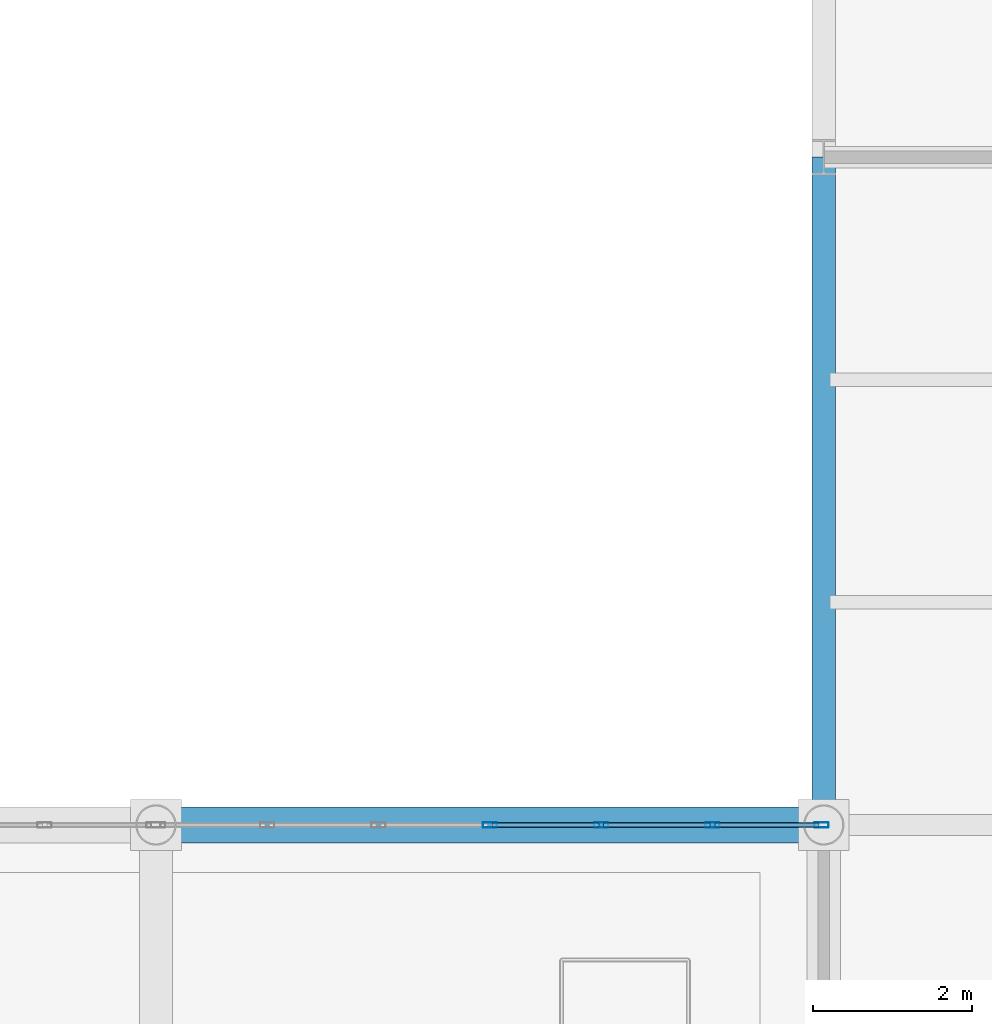
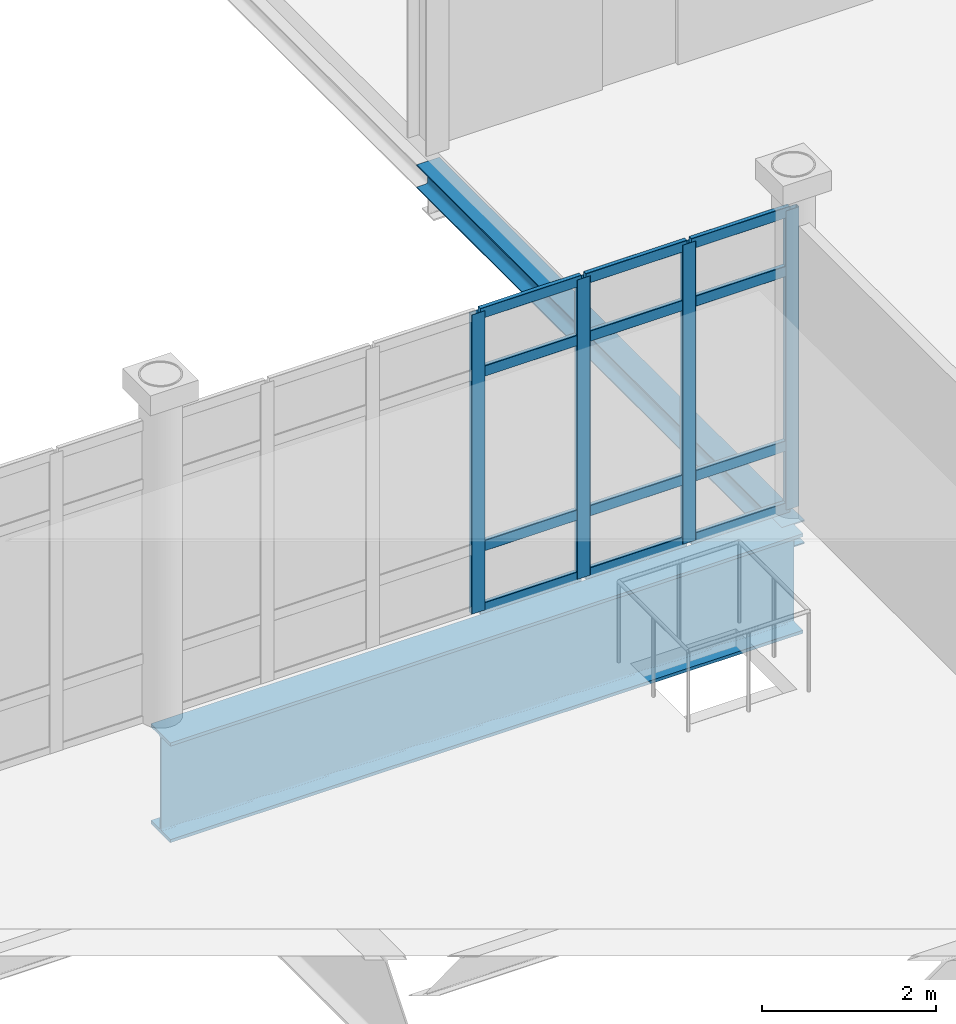
# One storey, part 57 of 145: 16 members, 2 beams, 1 element without a shape of its own.
"""IFC4 building model written with IfcOpenShell, lengths in metres."""

from ifc_helpers import new_model, si_unit, direction, frame, origin, origin_2d, place, context, subcontext, project, spatial, hollow_rectangle, i_section, extrude, material, layer, layer_set, material_profile, profile_set, type_object, element, aggregate, save


model = new_model("IFC4")

# Units and contexts
model_context = context("Model", 3, precision=1e-05, world=origin(), true_north=direction((0.0, 1.0)))
body_context = subcontext(model_context, "Body", "Model", "MODEL_VIEW")
ifc_project = project(units=[si_unit("LENGTHUNIT", "METRE"), si_unit("AREAUNIT", "SQUARE_METRE"), si_unit("VOLUMEUNIT", "CUBIC_METRE"), si_unit("PLANEANGLEUNIT", "RADIAN"), si_unit("MASSUNIT", "GRAM", prefix="KILO")], contexts=[model_context])

# Site, building, storey
site_placement = place(None, origin())
site = spatial("IfcSite", under=ifc_project, at=site_placement, CompositionType="ELEMENT")
building_placement = place(site_placement, origin())
building = spatial("IfcBuilding", under=site, at=building_placement, Name="Qalvenar Corner Mobility Hub", CompositionType="ELEMENT")
storey_placement = place(building_placement, origin())
storey = spatial("IfcBuildingStorey", under=building, at=storey_placement, Name="L00", CompositionType="ELEMENT", Elevation=0.0)

# Beams
ifc_material_1 = material(Name="Steel S355", Category="steel")
ifc_material_profile_1 = material_profile(ifc_material_1, i_section(OverallWidth=0.300048828125, OverallDepth=0.330078125, WebThickness=0.009521484375, FlangeThickness=0.0166015625, FilletRadius=0.027099609375, at=origin_2d()), Name="HEA340")
ifc_profile_set_1 = profile_set([ifc_material_profile_1], Name="Steel S355")
beam_type_1 = type_object("IfcBeamType", Name="BM-SPN340", PredefinedType="SPANDREL", material=ifc_profile_set_1)
beam_1_placement = place(storey_placement, frame((109.199951171875, 33.60009765625, -0.4150390625), z_axis=(0.0, 1.0, 0.0), x_axis=(-1.0, 0.0, 0.0)))
element("IfcBeam", 1, at=beam_1_placement, inside=storey, type_object=beam_type_1, Name="Primary Steel Girder GY-0297", PredefinedType="SPANDREL", context=body_context, shape_type="SweptSolid", body=[
    extrude(i_section(OverallWidth=0.300048828125, OverallDepth=0.330078125, WebThickness=0.009521484375, FlangeThickness=0.0166015625, FilletRadius=0.027099609375, at=origin_2d()), origin(), (0.0, 0.0, 1.0), 8.39990234375),
])
ifc_material_profile_2 = material_profile(ifc_material_1, i_section(OverallWidth=0.449951171875, OverallDepth=1.39990234375, WebThickness=0.02587890625, FlangeThickness=0.0439453125, FilletRadius=0.02392578125, at=origin_2d()), Name="W1100x499-TG1400")
ifc_profile_set_2 = profile_set([ifc_material_profile_2], Name="Steel S355")
beam_type_2 = type_object("IfcBeamType", Name="BM-TG1400", PredefinedType="T_BEAM", material=ifc_profile_set_2)
beam_2_placement = place(storey_placement, frame((100.800048828125, 33.60009765625, -0.949951171875), z_axis=(1.0, 0.0, 0.0), x_axis=(0.0, 1.0, 0.0)))
element("IfcBeam", 2, at=beam_2_placement, inside=storey, type_object=beam_type_2, Name="Transfer Girder TG-0163", PredefinedType="T_BEAM", context=body_context, shape_type="SweptSolid", body=[
    extrude(i_section(OverallWidth=0.449951171875, OverallDepth=1.39990234375, WebThickness=0.02587890625, FlangeThickness=0.0439453125, FilletRadius=0.02392578125, at=origin_2d()), origin(), (0.0, 0.0, 1.0), 8.39990234375),
])

# Curtain wall, members
ifc_material_2 = material(Name="Anodised Aluminium and Low-E Glazing", Category="aluminium")
ifc_layer = layer(ifc_material_2, 0.179931640625)
ifc_layer_set = layer_set([ifc_layer], Name="Anodised Aluminium and Low-E Glazing")
curtain_wall_type = type_object("IfcCurtainWallType", Name="CW-CONC-84X48", PredefinedType="NOTDEFINED", material=ifc_layer_set)
curtain_wall_placement = place(storey_placement, origin())
curtain_wall = element("IfcCurtainWall", 3, at=curtain_wall_placement, inside=storey, type_object=curtain_wall_type, Name="Glazed Curtain Wall CW-V1-L00-N6", PredefinedType="NOTDEFINED")
ifc_material_3 = material(Name="Anodised Aluminium 6063-T6", Category="aluminium")
ifc_material_profile_3 = material_profile(ifc_material_3, hollow_rectangle(XDim=0.06494140625, YDim=0.179931640625, WallThickness=0.00390625, InnerFilletRadius=0.00390625, OuterFilletRadius=0.008056640625, at=origin_2d()), Name="RHS180x65x4")
ifc_profile_set_3 = profile_set([ifc_material_profile_3], Name="Anodised Aluminium 6063-T6")
member_type_1 = type_object("IfcMemberType", Name="CW-MUL180", PredefinedType="MULLION", material=ifc_profile_set_3)
member_1_placement = place(storey_placement, frame((109.169921875, 33.60009765625, 0.0), z_axis=(0.0, 0.0, 1.0), x_axis=(0.0, -1.0, 0.0)))
member_1 = element("IfcMember", 4, at=member_1_placement, type_object=member_type_1, Name="CW-01 mullion 1", PredefinedType="MULLION", context=body_context, shape_type="SweptSolid", body=[
    extrude(hollow_rectangle(XDim=0.06494140625, YDim=0.179931640625, WallThickness=0.00390625, InnerFilletRadius=0.00390625, OuterFilletRadius=0.008056640625, at=origin_2d()), origin(), (0.0, 0.0, 1.0), 4.199951171875),
])
member_2_placement = place(storey_placement, frame((107.800048828125, 33.60009765625, 0.0), z_axis=(0.0, 0.0, 1.0), x_axis=(0.0, -1.0, 0.0)))
member_2 = element("IfcMember", 5, at=member_2_placement, type_object=member_type_1, Name="CW-01 mullion 2", PredefinedType="MULLION", context=body_context, shape_type="SweptSolid", body=[
    extrude(hollow_rectangle(XDim=0.06494140625, YDim=0.179931640625, WallThickness=0.00390625, InnerFilletRadius=0.00390625, OuterFilletRadius=0.008056640625, at=origin_2d()), origin(), (0.0, 0.0, 1.0), 4.199951171875),
])
member_3_placement = place(storey_placement, frame((106.39990234375, 33.60009765625, 0.0), z_axis=(0.0, 0.0, 1.0), x_axis=(0.0, -1.0, 0.0)))
member_3 = element("IfcMember", 6, at=member_3_placement, type_object=member_type_1, Name="CW-01 mullion 3", PredefinedType="MULLION", context=body_context, shape_type="SweptSolid", body=[
    extrude(hollow_rectangle(XDim=0.06494140625, YDim=0.179931640625, WallThickness=0.00390625, InnerFilletRadius=0.00390625, OuterFilletRadius=0.008056640625, at=origin_2d()), origin(), (0.0, 0.0, 1.0), 4.199951171875),
])
member_4_placement = place(storey_placement, frame((105.0, 33.60009765625, 0.0), z_axis=(0.0, 0.0, 1.0), x_axis=(0.0, -1.0, 0.0)))
member_4 = element("IfcMember", 7, at=member_4_placement, type_object=member_type_1, Name="CW-01 mullion 4", PredefinedType="MULLION", context=body_context, shape_type="SweptSolid", body=[
    extrude(hollow_rectangle(XDim=0.06494140625, YDim=0.179931640625, WallThickness=0.00390625, InnerFilletRadius=0.00390625, OuterFilletRadius=0.008056640625, at=origin_2d()), origin(), (0.0, 0.0, 1.0), 4.199951171875),
])
ifc_material_profile_4 = material_profile(ifc_material_3, hollow_rectangle(XDim=0.06005859375, YDim=0.14990234375, WallThickness=0.00341796875, InnerFilletRadius=0.00341796875, OuterFilletRadius=0.007080078125, at=origin_2d()), Name="RHS150x60x3.5")
ifc_profile_set_4 = profile_set([ifc_material_profile_4], Name="Anodised Aluminium 6063-T6")
member_type_2 = type_object("IfcMemberType", Name="CW-TRN150", PredefinedType="USERDEFINED", material=ifc_profile_set_4)
member_5_placement = place(storey_placement, frame((109.139892578125, 33.60009765625, 0.027587890625), z_axis=(-1.0, 0.0, 0.0), x_axis=(0.0, -1.0, 0.0)))
member_5 = element("IfcMember", 8, at=member_5_placement, type_object=member_type_2, Name="CW-01 transom 1.1", ObjectType="TRANSOM", PredefinedType="USERDEFINED", context=body_context, shape_type="SweptSolid", body=[
    extrude(hollow_rectangle(XDim=0.06005859375, YDim=0.14990234375, WallThickness=0.00341796875, InnerFilletRadius=0.00341796875, OuterFilletRadius=0.007080078125, at=origin_2d()), origin(), (0.0, 0.0, 1.0), 1.309814453125),
])
member_6_placement = place(storey_placement, frame((109.139892578125, 33.60009765625, 0.89990234375), z_axis=(-1.0, 0.0, 0.0), x_axis=(0.0, -1.0, 0.0)))
member_6 = element("IfcMember", 9, at=member_6_placement, type_object=member_type_2, Name="CW-01 transom 1.2", ObjectType="TRANSOM", PredefinedType="USERDEFINED", context=body_context, shape_type="SweptSolid", body=[
    extrude(hollow_rectangle(XDim=0.06005859375, YDim=0.14990234375, WallThickness=0.00341796875, InnerFilletRadius=0.00341796875, OuterFilletRadius=0.007080078125, at=origin_2d()), origin(), (0.0, 0.0, 1.0), 1.309814453125),
])
member_7_placement = place(storey_placement, frame((109.139892578125, 33.60009765625, 3.35009765625), z_axis=(-1.0, 0.0, 0.0), x_axis=(0.0, -1.0, 0.0)))
member_7 = element("IfcMember", 10, at=member_7_placement, type_object=member_type_2, Name="CW-01 transom 1.3", ObjectType="TRANSOM", PredefinedType="USERDEFINED", context=body_context, shape_type="SweptSolid", body=[
    extrude(hollow_rectangle(XDim=0.06005859375, YDim=0.14990234375, WallThickness=0.00341796875, InnerFilletRadius=0.00341796875, OuterFilletRadius=0.007080078125, at=origin_2d()), origin(), (0.0, 0.0, 1.0), 1.309814453125),
])
member_8_placement = place(storey_placement, frame((109.139892578125, 33.60009765625, 4.172607421875), z_axis=(-1.0, 0.0, 0.0), x_axis=(0.0, -1.0, 0.0)))
member_8 = element("IfcMember", 11, at=member_8_placement, type_object=member_type_2, Name="CW-01 transom 1.4", ObjectType="TRANSOM", PredefinedType="USERDEFINED", context=body_context, shape_type="SweptSolid", body=[
    extrude(hollow_rectangle(XDim=0.06005859375, YDim=0.14990234375, WallThickness=0.00341796875, InnerFilletRadius=0.00341796875, OuterFilletRadius=0.007080078125, at=origin_2d()), origin(), (0.0, 0.0, 1.0), 1.309814453125),
])
member_9_placement = place(storey_placement, frame((107.77001953125, 33.60009765625, 0.027587890625), z_axis=(-1.0, 0.0, 0.0), x_axis=(0.0, -1.0, 0.0)))
member_9 = element("IfcMember", 12, at=member_9_placement, type_object=member_type_2, Name="CW-01 transom 2.1", ObjectType="TRANSOM", PredefinedType="USERDEFINED", context=body_context, shape_type="SweptSolid", body=[
    extrude(hollow_rectangle(XDim=0.06005859375, YDim=0.14990234375, WallThickness=0.00341796875, InnerFilletRadius=0.00341796875, OuterFilletRadius=0.007080078125, at=origin_2d()), origin(), (0.0, 0.0, 1.0), 1.340087890625),
])
member_10_placement = place(storey_placement, frame((107.77001953125, 33.60009765625, 0.89990234375), z_axis=(-1.0, 0.0, 0.0), x_axis=(0.0, -1.0, 0.0)))
member_10 = element("IfcMember", 13, at=member_10_placement, type_object=member_type_2, Name="CW-01 transom 2.2", ObjectType="TRANSOM", PredefinedType="USERDEFINED", context=body_context, shape_type="SweptSolid", body=[
    extrude(hollow_rectangle(XDim=0.06005859375, YDim=0.14990234375, WallThickness=0.00341796875, InnerFilletRadius=0.00341796875, OuterFilletRadius=0.007080078125, at=origin_2d()), origin(), (0.0, 0.0, 1.0), 1.340087890625),
])
member_11_placement = place(storey_placement, frame((107.77001953125, 33.60009765625, 3.35009765625), z_axis=(-1.0, 0.0, 0.0), x_axis=(0.0, -1.0, 0.0)))
member_11 = element("IfcMember", 14, at=member_11_placement, type_object=member_type_2, Name="CW-01 transom 2.3", ObjectType="TRANSOM", PredefinedType="USERDEFINED", context=body_context, shape_type="SweptSolid", body=[
    extrude(hollow_rectangle(XDim=0.06005859375, YDim=0.14990234375, WallThickness=0.00341796875, InnerFilletRadius=0.00341796875, OuterFilletRadius=0.007080078125, at=origin_2d()), origin(), (0.0, 0.0, 1.0), 1.340087890625),
])
member_12_placement = place(storey_placement, frame((107.77001953125, 33.60009765625, 4.172607421875), z_axis=(-1.0, 0.0, 0.0), x_axis=(0.0, -1.0, 0.0)))
member_12 = element("IfcMember", 15, at=member_12_placement, type_object=member_type_2, Name="CW-01 transom 2.4", ObjectType="TRANSOM", PredefinedType="USERDEFINED", context=body_context, shape_type="SweptSolid", body=[
    extrude(hollow_rectangle(XDim=0.06005859375, YDim=0.14990234375, WallThickness=0.00341796875, InnerFilletRadius=0.00341796875, OuterFilletRadius=0.007080078125, at=origin_2d()), origin(), (0.0, 0.0, 1.0), 1.340087890625),
])
member_13_placement = place(storey_placement, frame((106.3701171875, 33.60009765625, 0.027587890625), z_axis=(-1.0, 0.0, 0.0), x_axis=(0.0, -1.0, 0.0)))
member_13 = element("IfcMember", 16, at=member_13_placement, type_object=member_type_2, Name="CW-01 transom 3.1", ObjectType="TRANSOM", PredefinedType="USERDEFINED", context=body_context, shape_type="SweptSolid", body=[
    extrude(hollow_rectangle(XDim=0.06005859375, YDim=0.14990234375, WallThickness=0.00341796875, InnerFilletRadius=0.00341796875, OuterFilletRadius=0.007080078125, at=origin_2d()), origin(), (0.0, 0.0, 1.0), 1.340087890625),
])
member_14_placement = place(storey_placement, frame((106.3701171875, 33.60009765625, 0.89990234375), z_axis=(-1.0, 0.0, 0.0), x_axis=(0.0, -1.0, 0.0)))
member_14 = element("IfcMember", 17, at=member_14_placement, type_object=member_type_2, Name="CW-01 transom 3.2", ObjectType="TRANSOM", PredefinedType="USERDEFINED", context=body_context, shape_type="SweptSolid", body=[
    extrude(hollow_rectangle(XDim=0.06005859375, YDim=0.14990234375, WallThickness=0.00341796875, InnerFilletRadius=0.00341796875, OuterFilletRadius=0.007080078125, at=origin_2d()), origin(), (0.0, 0.0, 1.0), 1.340087890625),
])
member_15_placement = place(storey_placement, frame((106.3701171875, 33.60009765625, 3.35009765625), z_axis=(-1.0, 0.0, 0.0), x_axis=(0.0, -1.0, 0.0)))
member_15 = element("IfcMember", 18, at=member_15_placement, type_object=member_type_2, Name="CW-01 transom 3.3", ObjectType="TRANSOM", PredefinedType="USERDEFINED", context=body_context, shape_type="SweptSolid", body=[
    extrude(hollow_rectangle(XDim=0.06005859375, YDim=0.14990234375, WallThickness=0.00341796875, InnerFilletRadius=0.00341796875, OuterFilletRadius=0.007080078125, at=origin_2d()), origin(), (0.0, 0.0, 1.0), 1.340087890625),
])
member_16_placement = place(storey_placement, frame((106.3701171875, 33.60009765625, 4.172607421875), z_axis=(-1.0, 0.0, 0.0), x_axis=(0.0, -1.0, 0.0)))
member_16 = element("IfcMember", 19, at=member_16_placement, type_object=member_type_2, Name="CW-01 transom 3.4", ObjectType="TRANSOM", PredefinedType="USERDEFINED", context=body_context, shape_type="SweptSolid", body=[
    extrude(hollow_rectangle(XDim=0.06005859375, YDim=0.14990234375, WallThickness=0.00341796875, InnerFilletRadius=0.00341796875, OuterFilletRadius=0.007080078125, at=origin_2d()), origin(), (0.0, 0.0, 1.0), 1.340087890625),
])
aggregate(curtain_wall, [member_1, member_2, member_3, member_4, member_5, member_6, member_7, member_8, member_9, member_10, member_11, member_12, member_13, member_14, member_15, member_16])

save(model, "model.ifc")
